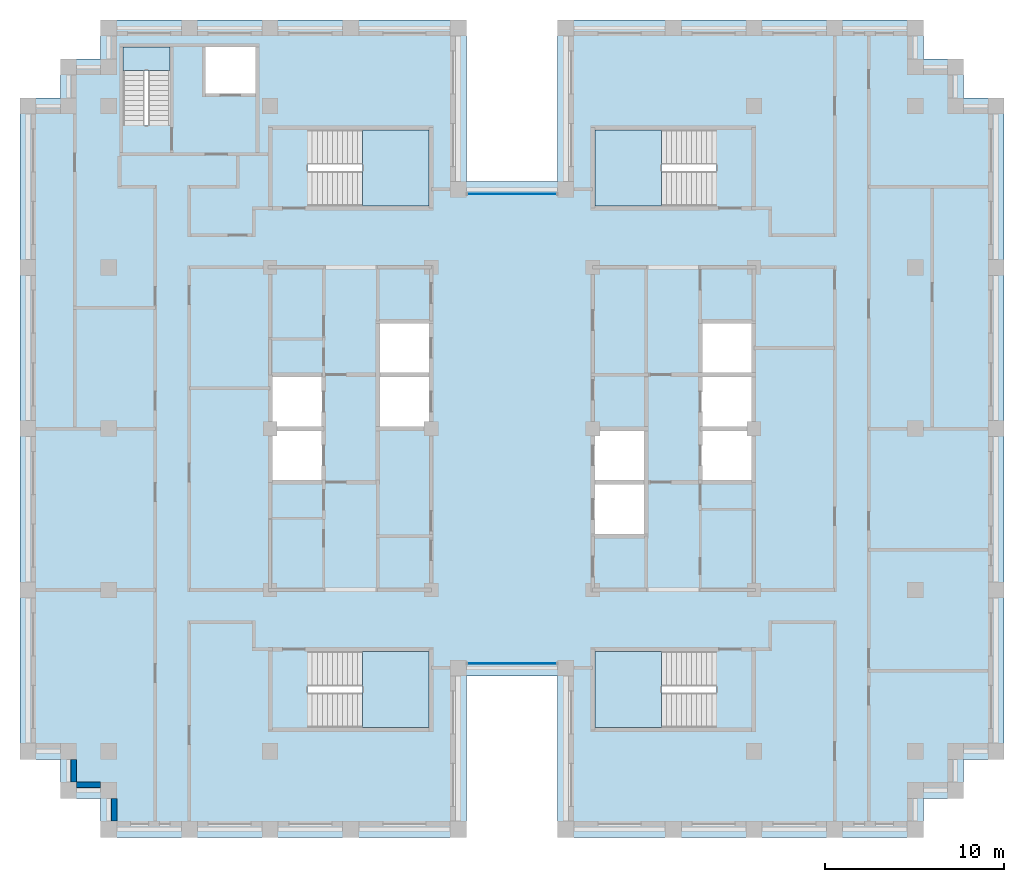
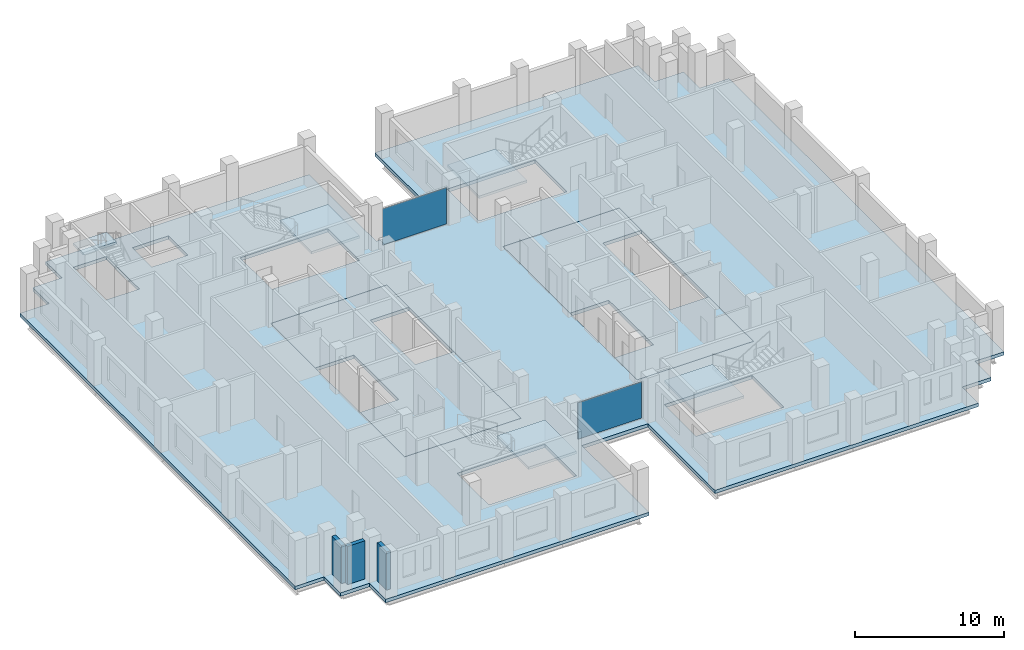
# One storey, part 5 of 13: 8 slabs, 3 walls, 2 plates, 7 elements without a shape of their own.
"""IFC4 building model written with IfcOpenShell, lengths in metres."""

import ifcopenshell
import ifcopenshell.guid

model = None  # the IFC model being written
_history = None  # IfcOwnerHistory: only IFC2X3 demands one
_inside = {}  # id of a spatial element -> (the spatial element, [elements in it])
_under = {}  # id of a project, library or spatial element -> (it, [spatial elements below it])
_declared = {}  # id of a project -> (the project, [libraries it declares])
_typed = {}  # id of a type object -> (the type object, [elements of that type])
_made_of = {}  # id of a material, layer set ... -> (it, [elements and type objects made of it])


def new_model(schema):
    """Start an empty IFC model of exactly this schema.

    Asked for "IFC4X3", IfcOpenShell would pick the latest addendum, in which some entities
    have other attributes; the version numbers below select the first issue.
    IFC2X3 requires an IfcOwnerHistory on every rooted entity: one is made here for all.
    """
    global model, _history
    if schema == "IFC4X3":
        model = ifcopenshell.file(schema_version=(4, 3, 0, 0))
    else:
        model = ifcopenshell.file(schema=schema)
    _inside.clear()
    _under.clear()
    _declared.clear()
    _typed.clear()
    _made_of.clear()
    _history = None
    if model.schema == "IFC2X3":
        org = make("IfcOrganization", Name="unknown")
        user = make(
            "IfcPersonAndOrganization",
            ThePerson=make("IfcPerson", FamilyName="unknown"),
            TheOrganization=org,
        )
        app = make(
            "IfcApplication",
            ApplicationDeveloper=org,
            Version="unknown",
            ApplicationFullName="unknown",
            ApplicationIdentifier="unknown",
        )
        _history = make(
            "IfcOwnerHistory",
            OwningUser=user,
            OwningApplication=app,
            ChangeAction="ADDED",
            CreationDate=0,
        )
    return model


def make(cls, **values):
    """One entity of the class cls with the attributes given. An attribute that is None is left unset."""
    return model.create_entity(
        cls, **{name: value for name, value in values.items() if value is not None}
    )


def rooted(cls, **values):
    """An entity with a GlobalId (a new one), such as an element, a storey or a relation."""
    return make(cls, GlobalId=ifcopenshell.guid.new(), OwnerHistory=_history, **values)


def si_unit(unit_type, name, prefix=None):
    """IfcSIUnit, for example si_unit("LENGTHUNIT", "METRE", prefix="MILLI")."""
    return make("IfcSIUnit", UnitType=unit_type, Prefix=prefix, Name=name)


def assignment(units):
    """IfcUnitAssignment: the units of a project."""
    return None if units is None else make("IfcUnitAssignment", Units=units)


def point(xyz):
    """IfcCartesianPoint."""
    return None if xyz is None else make("IfcCartesianPoint", Coordinates=xyz)


def direction(xyz):
    """IfcDirection."""
    return None if xyz is None else make("IfcDirection", DirectionRatios=xyz)


def frame(location, z_axis=None, x_axis=None):
    """IfcAxis2Placement3D, a coordinate frame: its origin and axes. An axis left out is left unset."""
    return make(
        "IfcAxis2Placement3D",
        Location=point(location),
        Axis=direction(z_axis),
        RefDirection=direction(x_axis),
    )


def frame_2d(location, x_axis=None):
    """IfcAxis2Placement2D, a coordinate frame in the plane: its origin and x axis."""
    return make(
        "IfcAxis2Placement2D", Location=point(location), RefDirection=direction(x_axis)
    )


def origin():
    """The frame at (0, 0, 0) with its axes left unset."""
    return frame((0.0, 0.0, 0.0))


def origin_2d():
    """The frame at (0, 0) in the plane with its x axis left unset."""
    return frame_2d((0.0, 0.0))


def place(relative_to, where):
    """IfcLocalPlacement: puts the frame where relative to a parent placement (None: the world)."""
    return make(
        "IfcLocalPlacement", PlacementRelTo=relative_to, RelativePlacement=where
    )


def context(
    kind, dimensions, precision=None, world=None, true_north=None, identifier=None
):
    """IfcGeometricRepresentationContext, for example the 3D "Model" context."""
    return make(
        "IfcGeometricRepresentationContext",
        ContextIdentifier=identifier,
        ContextType=kind,
        CoordinateSpaceDimension=dimensions,
        Precision=precision,
        WorldCoordinateSystem=world,
        TrueNorth=true_north,
    )


def subcontext(parent, identifier, kind, view, scale=None):
    """IfcGeometricRepresentationSubContext, for example "Body" below "Model"."""
    return make(
        "IfcGeometricRepresentationSubContext",
        ContextIdentifier=identifier,
        ContextType=kind,
        ParentContext=parent,
        TargetScale=scale,
        TargetView=view,
    )


def project(units=None, contexts=None):
    """IfcProject with its units and contexts."""
    return rooted(
        "IfcProject",
        Name="project",
        RepresentationContexts=contexts,
        UnitsInContext=assignment(units),
    )


def spatial(cls, under=None, at=None, **own):
    """A site, building, storey or space (cls), placed at a placement, below another one or the project."""
    s = rooted(cls, ObjectPlacement=at, **own)
    if under is not None:
        _under.setdefault(under.id(), (under, []))[1].append(s)
    return s


def polyline(points):
    """IfcPolyline through the points."""
    return make("IfcPolyline", Points=[point(p) for p in points])


def profile(cls, at=None, kind="AREA", **sizes):
    """A parametric profile (cls). Its sizes go by their IFC names, for example OverallWidth=200.0."""
    return make(cls, ProfileType=kind, Position=at, **sizes)


def rectangle(**sizes):
    """IfcRectangleProfileDef."""
    return profile("IfcRectangleProfileDef", **sizes)


def outline(outer, holes=None, kind="AREA"):
    """IfcArbitraryClosedProfileDef: a profile drawn as a closed curve; with holes, ...WithVoids."""
    if holes is None:
        return make("IfcArbitraryClosedProfileDef", ProfileType=kind, OuterCurve=outer)
    return make(
        "IfcArbitraryProfileDefWithVoids",
        ProfileType=kind,
        OuterCurve=outer,
        InnerCurves=holes,
    )


def extrude(swept, where, along, depth):
    """IfcExtrudedAreaSolid: the profile swept, set in the frame where, extruded along a direction by depth."""
    return make(
        "IfcExtrudedAreaSolid",
        SweptArea=swept,
        Position=where,
        ExtrudedDirection=direction(along),
        Depth=depth,
    )


def shape(context_of_items, identifier, shape_type, items):
    """IfcShapeRepresentation: the items that make up one representation, for example the "Body"."""
    return make(
        "IfcShapeRepresentation",
        ContextOfItems=context_of_items,
        RepresentationIdentifier=identifier,
        RepresentationType=shape_type,
        Items=items,
    )


def material(Name=None, Category=None):
    """IfcMaterial."""
    return make("IfcMaterial", Name=Name, Category=Category)


def layer(
    of_material, thickness, ventilated=None, Name=None, Category=None, Priority=None
):
    """IfcMaterialLayer: one layer of a wall or slab, of a material (None: an air gap)."""
    return make(
        "IfcMaterialLayer",
        Material=of_material,
        LayerThickness=thickness,
        IsVentilated=ventilated,
        Name=Name,
        Category=Category,
        Priority=Priority,
    )


def layer_set(layers, Name=None):
    """IfcMaterialLayerSet."""
    return make("IfcMaterialLayerSet", MaterialLayers=layers, LayerSetName=Name)


def made_of(thing, what):
    """Note that an element or type object is made of a material, layer set ...; save() writes the relation."""
    if what is not None:
        _made_of.setdefault(what.id(), (what, []))[1].append(thing)
    return thing


def type_object(cls, material=None, **own):
    """A type object (cls), such as IfcWallType, which elements share."""
    return made_of(rooted(cls, **own), material)


def element(
    cls,
    number,
    at=None,
    inside=None,
    cuts=None,
    type_object=None,
    material=None,
    context=None,
    identifier="Body",
    shape_type=None,
    held_by="IfcProductDefinitionShape",
    body=None,
    shapes=None,
    **own,
):
    """One element of the class cls, such as IfcWall. Its Tag is "e" and its number.

    at: its placement. inside: the storey or other place that contains it. cuts: it is an
    opening in that element (IfcRelVoidsElement). A single representation is given by context,
    identifier, shape_type and body (its items); several are given by shapes. held_by: the class
    of the entity that holds the representations. save() writes the other relations.
    """
    e = rooted(cls, Tag="e%d" % number, ObjectPlacement=at, **own)
    if body is not None:
        shapes = [shape(context, identifier, shape_type, body)]
    if shapes is not None:
        e.Representation = make(held_by, Representations=shapes)
    if inside is not None:
        _inside.setdefault(inside.id(), (inside, []))[1].append(e)
    if cuts is not None:
        rooted(
            "IfcRelVoidsElement", RelatingBuildingElement=cuts, RelatedOpeningElement=e
        )
    if type_object is not None:
        _typed.setdefault(type_object.id(), (type_object, []))[1].append(e)
    return made_of(e, material)


def aggregate(whole, parts):
    """IfcRelAggregates: a whole, such as a stair, and the parts it consists of."""
    return rooted("IfcRelAggregates", RelatingObject=whole, RelatedObjects=parts)


def save(model, path):
    """Write the relations noted so far, then the file.

    IfcRelAggregates (storeys below a building ...), IfcRelContainedInSpatialStructure (elements
    in a storey), IfcRelDefinesByType, IfcRelAssociatesMaterial and IfcRelDeclares: one each for
    every whole, place, type object, material and project.
    """
    for whole, parts in _under.values():
        aggregate(whole, parts)
    for where, things in _inside.values():
        rooted(
            "IfcRelContainedInSpatialStructure",
            RelatedElements=things,
            RelatingStructure=where,
        )
    for kind, things in _typed.values():
        rooted("IfcRelDefinesByType", RelatedObjects=things, RelatingType=kind)
    for what, things in _made_of.values():
        rooted("IfcRelAssociatesMaterial", RelatedObjects=things, RelatingMaterial=what)
    for by, libraries in _declared.values():
        rooted("IfcRelDeclares", RelatingContext=by, RelatedDefinitions=libraries)
    model.write(path)


model = new_model("IFC4")

# Units and contexts
model_context = context("Model", 3, precision=1e-05, world=origin(), true_north=direction((0.0, 1.0)))
body_context = subcontext(model_context, "Body", "Model", "MODEL_VIEW")
ifc_project = project(units=[si_unit("LENGTHUNIT", "METRE"), si_unit("AREAUNIT", "SQUARE_METRE"), si_unit("VOLUMEUNIT", "CUBIC_METRE"), si_unit("PLANEANGLEUNIT", "RADIAN"), si_unit("MASSUNIT", "GRAM", prefix="KILO")], contexts=[model_context])

# Site, building, storey
site_placement = place(None, origin())
site = spatial("IfcSite", under=ifc_project, at=site_placement, CompositionType="ELEMENT")
building_placement = place(site_placement, origin())
building = spatial("IfcBuilding", under=site, at=building_placement, Name="Corbelhall Arena Tower", CompositionType="ELEMENT")
storey_placement = place(building_placement, frame((0.0, 0.0, 250.0)))
storey = spatial("IfcBuildingStorey", under=building, at=storey_placement, Name="L53", CompositionType="ELEMENT", Elevation=250.0)

# Curtain wall, plate
ifc_material_1 = material(Name="Aluminium black anodised", Category="aluminium")
ifc_layer_1 = layer(ifc_material_1, 0.199951171875)
ifc_layer_set_1 = layer_set([ifc_layer_1], Name="EV-CW1 Slot back wall")
curtain_wall_type = type_object("IfcCurtainWallType", Name="EV-CW1 Slot back wall", PredefinedType="NOTDEFINED", material=ifc_layer_set_1)
curtain_wall_1_placement = place(storey_placement, origin())
curtain_wall_1 = element("IfcCurtainWall", 1, at=curtain_wall_1_placement, inside=storey, type_object=curtain_wall_type, Name="Curtain wall CW1", PredefinedType="NOTDEFINED")
ifc_material_2 = material(Name="Glass dark tinted laminated", Category="glass")
ifc_layer_2 = layer(ifc_material_2, 0.028076171875)
ifc_layer_set_2 = layer_set([ifc_layer_2], Name="EV-CW1-PANEL")
plate_type = type_object("IfcPlateType", Name="EV-CW1-PANEL", PredefinedType="CURTAIN_PANEL", material=ifc_layer_set_2)
plate_1_placement = place(storey_placement, frame((0.0, -13.10009765625, 0.0751953125), z_axis=(0.0, 0.0, 1.0), x_axis=(1.0, 0.0, 0.0)))
plate_1 = element("IfcPlate", 2, at=plate_1_placement, type_object=plate_type, Name="CW1 panel 1.1", PredefinedType="CURTAIN_PANEL", context=body_context, shape_type="SweptSolid", body=[
    extrude(rectangle(XDim=4.949951171875, YDim=0.028076171875, at=origin_2d()), origin(), (0.0, 0.0, 1.0), 2.969970703125),
])
aggregate(curtain_wall_1, [plate_1])

curtain_wall_2_placement = place(storey_placement, origin())
curtain_wall_2 = element("IfcCurtainWall", 3, at=curtain_wall_2_placement, inside=storey, type_object=curtain_wall_type, Name="Curtain wall CW1", PredefinedType="NOTDEFINED")
plate_2_placement = place(storey_placement, frame((0.0, 13.10009765625, 0.0751953125), z_axis=(0.0, 0.0, 1.0), x_axis=(-1.0, 0.0, 0.0)))
plate_2 = element("IfcPlate", 4, at=plate_2_placement, type_object=plate_type, Name="CW1 panel 1.1", PredefinedType="CURTAIN_PANEL", context=body_context, shape_type="SweptSolid", body=[
    extrude(rectangle(XDim=4.949951171875, YDim=0.028076171875, at=origin_2d()), origin(), (0.0, 0.0, 1.0), 2.969970703125),
])
aggregate(curtain_wall_2, [plate_2])

# Slabs
ifc_material_3 = material(Name="Concrete C40/50", Category="concrete")
ifc_layer_3 = layer(ifc_material_3, 0.300048828125)
ifc_layer_set_3 = layer_set([ifc_layer_3], Name="IN-SL-CORE")
slab_type_1 = type_object("IfcSlabType", Name="IN-SL-CORE", PredefinedType="FLOOR", material=ifc_layer_set_3)
slab_1_placement = place(storey_placement, frame((0.0, 0.0, -0.280029296875)))
element("IfcSlab", 5, at=slab_1_placement, inside=storey, type_object=slab_type_1, Name="Core floor W", PredefinedType="FLOOR", context=body_context, shape_type="SweptSolid", body=[
    extrude(outline(polyline([(-10.5, -3.0), (-13.5, -3.0), (-13.5, -9.0), (-4.5, -9.0), (-4.5, 0.0), (-7.5, 0.0), (-7.5, 3.0), (-7.5, 6.0), (-4.5, 6.0), (-4.5, 9.0), (-13.5, 9.0), (-13.5, 3.0), (-10.5, 3.0), (-10.5, 0.0), (-10.5, -3.0)])), origin(), (0.0, 0.0, 1.0), 0.280029296875),
])
slab_2_placement = place(storey_placement, frame((0.0, 0.0, -0.280029296875)))
element("IfcSlab", 6, at=slab_2_placement, inside=storey, type_object=slab_type_1, Name="Core floor E", PredefinedType="FLOOR", context=body_context, shape_type="SweptSolid", body=[
    extrude(outline(polyline([(13.5, -3.0), (10.5, -3.0), (10.5, 0.0), (10.5, 3.0), (10.5, 6.0), (13.5, 6.0), (13.5, 9.0), (4.5, 9.0), (4.5, 0.0), (7.5, 0.0), (7.5, -3.0), (7.5, -6.0), (4.5, -6.0), (4.5, -9.0), (13.5, -9.0), (13.5, -3.0)])), origin(), (0.0, 0.0, 1.0), 0.280029296875),
])

# Stair, slab
stair_type = type_object("IfcStairType", Name="IN-ST-TOWER", PredefinedType="HALF_TURN_STAIR", material=ifc_material_3)
stair_1_placement = place(storey_placement, origin())
stair_1 = element("IfcStair", 7, at=stair_1_placement, inside=storey, type_object=stair_type, Name="L53 Exit stair ST1", PredefinedType="HALF_TURN_STAIR")
ifc_layer_4 = layer(ifc_material_3, 0.199951171875)
ifc_layer_set_4 = layer_set([ifc_layer_4], Name="IN-SL-LANDING")
slab_type_2 = type_object("IfcSlabType", Name="IN-SL-LANDING", PredefinedType="LANDING", material=ifc_layer_set_4)
slab_3_placement = place(storey_placement, frame((0.0, 0.0, 1.800048828125)))
slab_3 = element("IfcSlab", 8, at=slab_3_placement, type_object=slab_type_2, Name="ST1 landing 1", PredefinedType="LANDING", context=body_context, shape_type="SweptSolid", body=[
    extrude(outline(polyline([(-8.344970703125, 12.425048828125), (-4.625, 12.425048828125), (-4.625, 16.675048828125), (-8.344970703125, 16.675048828125), (-8.344970703125, 12.425048828125)])), origin(), (0.0, 0.0, 1.0), 0.199951171875),
])
aggregate(stair_1, [slab_3])

stair_2_placement = place(storey_placement, origin())
stair_2 = element("IfcStair", 9, at=stair_2_placement, inside=storey, type_object=stair_type, Name="L53 Exit stair ST2", PredefinedType="HALF_TURN_STAIR")
slab_4_placement = place(storey_placement, frame((0.0, 0.0, 1.800048828125)))
slab_4 = element("IfcSlab", 10, at=slab_4_placement, type_object=slab_type_2, Name="ST2 landing 1", PredefinedType="LANDING", context=body_context, shape_type="SweptSolid", body=[
    extrude(outline(polyline([(-8.344970703125, -16.675048828125), (-4.625, -16.675048828125), (-4.625, -12.425048828125), (-8.344970703125, -12.425048828125), (-8.344970703125, -16.675048828125)])), origin(), (0.0, 0.0, 1.0), 0.199951171875),
])
aggregate(stair_2, [slab_4])

stair_3_placement = place(storey_placement, origin())
stair_3 = element("IfcStair", 11, at=stair_3_placement, inside=storey, type_object=stair_type, Name="L53 Exit stair ST3", PredefinedType="HALF_TURN_STAIR")
slab_5_placement = place(storey_placement, frame((0.0, 0.0, 1.800048828125)))
slab_5 = element("IfcSlab", 12, at=slab_5_placement, type_object=slab_type_2, Name="ST3 landing 1", PredefinedType="LANDING", context=body_context, shape_type="SweptSolid", body=[
    extrude(outline(polyline([(8.344970703125, 16.675048828125), (4.625, 16.675048828125), (4.625, 12.425048828125), (8.344970703125, 12.425048828125), (8.344970703125, 16.675048828125)])), origin(), (0.0, 0.0, 1.0), 0.199951171875),
])
aggregate(stair_3, [slab_5])

stair_4_placement = place(storey_placement, origin())
stair_4 = element("IfcStair", 13, at=stair_4_placement, inside=storey, type_object=stair_type, Name="L53 Exit stair ST4", PredefinedType="HALF_TURN_STAIR")
slab_6_placement = place(storey_placement, frame((0.0, 0.0, 1.800048828125)))
slab_6 = element("IfcSlab", 14, at=slab_6_placement, type_object=slab_type_2, Name="ST4 landing 1", PredefinedType="LANDING", context=body_context, shape_type="SweptSolid", body=[
    extrude(outline(polyline([(8.344970703125, -12.425048828125), (4.625, -12.425048828125), (4.625, -16.675048828125), (8.344970703125, -16.675048828125), (8.344970703125, -12.425048828125)])), origin(), (0.0, 0.0, 1.0), 0.199951171875),
])
aggregate(stair_4, [slab_6])

stair_5_placement = place(storey_placement, origin())
stair_5 = element("IfcStair", 15, at=stair_5_placement, inside=storey, type_object=stair_type, Name="L53 Exit stair ST5", PredefinedType="HALF_TURN_STAIR")
slab_7_placement = place(storey_placement, frame((0.0, 0.0, 1.800048828125)))
slab_7 = element("IfcSlab", 16, at=slab_7_placement, type_object=slab_type_2, Name="ST5 landing 1", PredefinedType="LANDING", context=body_context, shape_type="SweptSolid", body=[
    extrude(outline(polyline([(-19.094970703125, 19.97998046875), (-19.094970703125, 21.300048828125), (-21.695068359375, 21.300048828125), (-21.695068359375, 19.97998046875), (-19.094970703125, 19.97998046875)])), origin(), (0.0, 0.0, 1.0), 0.199951171875),
])
aggregate(stair_5, [slab_7])

# Slab
ifc_layer_5 = layer(ifc_material_3, 0.280029296875)
ifc_layer_set_5 = layer_set([ifc_layer_5], Name="ST-SLAB-FLOOR-280")
slab_type_3 = type_object("IfcSlabType", Name="ST-SLAB-FLOOR-280", PredefinedType="FLOOR", material=ifc_layer_set_5)
slab_8_placement = place(storey_placement, frame((0.0, 0.0, -0.280029296875)))
element("IfcSlab", 17, at=slab_8_placement, inside=storey, type_object=slab_type_3, Name="Floor slab L53 1", PredefinedType="FLOOR", context=body_context, shape_type="SweptSolid", body=[
    extrude(outline(polyline([(22.949951171875, 22.800048828125), (2.550048828125, 22.800048828125), (2.550048828125, 13.800048828125), (-2.550048828125, 13.800048828125), (-2.550048828125, 22.800048828125), (-22.949951171875, 22.800048828125), (-22.949951171875, 20.625), (-25.199951171875, 20.625), (-25.199951171875, 18.449951171875), (-27.449951171875, 18.449951171875), (-27.449951171875, -18.449951171875), (-25.199951171875, -18.449951171875), (-25.199951171875, -20.625), (-22.949951171875, -20.625), (-22.949951171875, -22.800048828125), (-2.550048828125, -22.800048828125), (-2.550048828125, -13.800048828125), (2.550048828125, -13.800048828125), (2.550048828125, -22.800048828125), (22.949951171875, -22.800048828125), (22.949951171875, -20.625), (25.199951171875, -20.625), (25.199951171875, -18.449951171875), (27.449951171875, -18.449951171875), (27.449951171875, 18.449951171875), (25.199951171875, 18.449951171875), (25.199951171875, 20.625), (22.949951171875, 20.625), (22.949951171875, 22.800048828125)]), holes=[polyline([(-13.5, 9.0), (-13.5, -9.0), (-4.5, -9.0), (-4.5, 9.0), (-13.5, 9.0)]), polyline([(4.5, 9.0), (4.5, -9.0), (13.5, -9.0), (13.5, 9.0), (4.5, 9.0)]), polyline([(-4.625, 16.675048828125), (-11.422119140625, 16.675048828125), (-11.422119140625, 12.425048828125), (-4.625, 12.425048828125), (-4.625, 16.675048828125)]), polyline([(-4.625, -16.675048828125), (-4.625, -12.425048828125), (-11.422119140625, -12.425048828125), (-11.422119140625, -16.675048828125), (-4.625, -16.675048828125)]), polyline([(11.422119140625, 16.675048828125), (4.625, 16.675048828125), (4.625, 12.425048828125), (11.422119140625, 12.425048828125), (11.422119140625, 16.675048828125)]), polyline([(11.422119140625, -16.675048828125), (11.422119140625, -12.425048828125), (4.625, -12.425048828125), (4.625, -16.675048828125), (11.422119140625, -16.675048828125)]), polyline([(-21.695068359375, 21.300048828125), (-21.695068359375, 16.903076171875), (-19.094970703125, 16.903076171875), (-19.094970703125, 21.300048828125), (-21.695068359375, 21.300048828125)]), polyline([(-14.300048828125, 21.300048828125), (-17.10009765625, 21.300048828125), (-17.10009765625, 18.699951171875), (-14.300048828125, 18.699951171875), (-14.300048828125, 21.300048828125)])]), origin(), (0.0, 0.0, 1.0), 0.280029296875),
])

# Walls
ifc_material_4 = material(Name="Precast concrete C40/50 with granite facing", Category="masonry")
ifc_layer_6 = layer(ifc_material_4, 0.300048828125)
ifc_layer_set_6 = layer_set([ifc_layer_6], Name="EV-IW1 Infill panel 300")
wall_type = type_object("IfcWallType", Name="EV-IW1 Infill panel 300", PredefinedType="SOLIDWALL", material=ifc_layer_set_6)
wall_1_placement = place(storey_placement, frame((-24.449951171875, -18.449951171875, 0.0), z_axis=(0.0, 0.0, 1.0), x_axis=(0.0, -1.0, 0.0)))
element("IfcWall", 18, at=wall_1_placement, inside=storey, type_object=wall_type, Name="Infill panel IW1", PredefinedType="SOLIDWALL", context=body_context, shape_type="SweptSolid", body=[
    extrude(rectangle(XDim=1.275146484375, YDim=0.300048828125, at=frame_2d((0.6376953125, 0.0))), origin(), (0.0, 0.0, 1.0), 3.1201171875),
])
wall_2_placement = place(storey_placement, frame((-24.300048828125, -19.875, 0.0), z_axis=(0.0, 0.0, 1.0), x_axis=(1.0, 0.0, 0.0)))
element("IfcWall", 19, at=wall_2_placement, inside=storey, type_object=wall_type, Name="Infill panel IW1", PredefinedType="SOLIDWALL", context=body_context, shape_type="SweptSolid", body=[
    extrude(rectangle(XDim=1.35009765625, YDim=0.300048828125, at=frame_2d((0.675048828125, 0.0))), origin(), (0.0, 0.0, 1.0), 3.1201171875),
])
wall_3_placement = place(storey_placement, frame((-22.199951171875, -20.625, 0.0), z_axis=(0.0, 0.0, 1.0), x_axis=(0.0, -1.0, 0.0)))
element("IfcWall", 20, at=wall_3_placement, inside=storey, type_object=wall_type, Name="Infill panel IW1", PredefinedType="SOLIDWALL", context=body_context, shape_type="SweptSolid", body=[
    extrude(rectangle(XDim=1.27490234375, YDim=0.300048828125, at=frame_2d((0.637451171875, 0.0))), origin(), (0.0, 0.0, 1.0), 3.1201171875),
])

save(model, "model.ifc")
